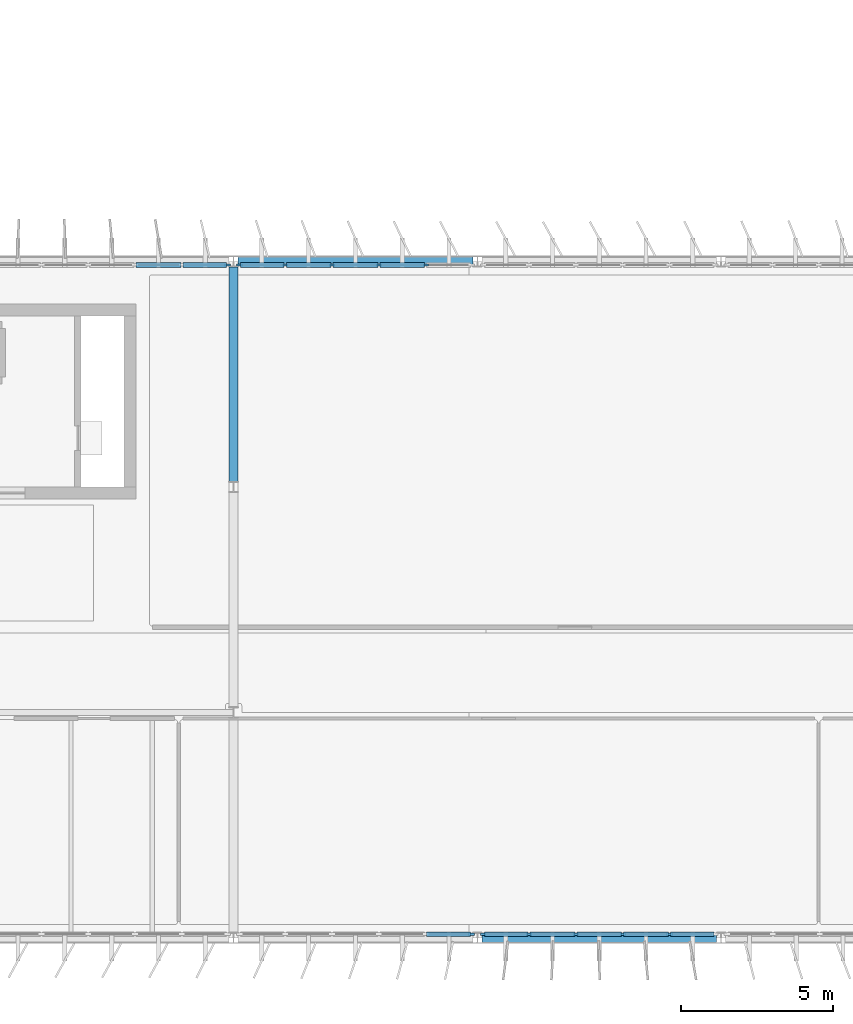
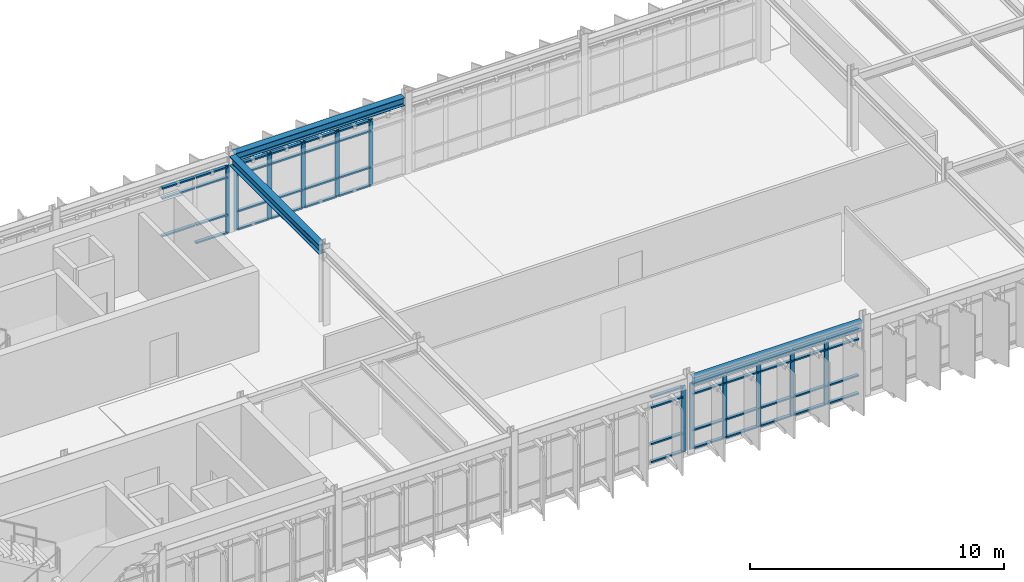
# One storey, part 14 of 45: 59 members, 3 beams, 4 elements without a shape of their own.
"""IFC4 building model written with IfcOpenShell, lengths in metres."""

from ifc_helpers import new_model, si_unit, direction, frame, origin, origin_2d, place, context, subcontext, project, spatial, rectangle, i_section, extrude, material, layer, layer_set, material_profile, profile_set, type_object, element, aggregate, save


model = new_model("IFC4")

# Units and contexts
model_context = context("Model", 3, precision=1e-05, world=origin(), true_north=direction((0.0, 1.0)))
body_context = subcontext(model_context, "Body", "Model", "MODEL_VIEW")
ifc_project = project(units=[si_unit("LENGTHUNIT", "METRE"), si_unit("AREAUNIT", "SQUARE_METRE"), si_unit("VOLUMEUNIT", "CUBIC_METRE"), si_unit("PLANEANGLEUNIT", "RADIAN"), si_unit("MASSUNIT", "GRAM", prefix="KILO")], contexts=[model_context])

# Site, building, storey
site_placement = place(None, origin())
site = spatial("IfcSite", under=ifc_project, at=site_placement, CompositionType="ELEMENT")
building_placement = place(site_placement, origin())
building = spatial("IfcBuilding", under=site, at=building_placement, Name="Valkorina Park Police Headquarters", CompositionType="ELEMENT")
storey_placement = place(building_placement, frame((0.0, 0.0, 23.300048828125)))
storey = spatial("IfcBuildingStorey", under=building, at=storey_placement, Name="L06", CompositionType="ELEMENT", Elevation=23.300048828125)

# Beams
ifc_material_1 = material(Name="Steel S355", Category="steel")
ifc_material_profile_1 = material_profile(ifc_material_1, i_section(OverallWidth=0.300048828125, OverallDepth=0.389892578125, WebThickness=0.010986328125, FlangeThickness=0.01904296875, FilletRadius=0.027099609375, at=origin_2d()), Name="HEA 400")
ifc_profile_set_1 = profile_set([ifc_material_profile_1], Name="Steel S355")
beam_type_1 = type_object("IfcBeamType", Name="BM-S355-HEA400-SPN", PredefinedType="SPANDREL", material=ifc_profile_set_1)
for number, where, z_axis, x_axis, name in (
    (1, (64.949951171875, 37.0, 3.375), (1.0, 0.0, 0.0), (0.0, 1.0, 0.0), "L06 Framing Beam 2610"),
    (2, (56.949951171875, 59.199951171875, 3.48486328125), (1.0, 0.0, 0.0), (0.0, 1.0, 0.0), "L06 Framing Beam 2636"),
):
    element("IfcBeam", number, at=place(storey_placement, frame(where, z_axis=z_axis, x_axis=x_axis)), inside=storey, type_object=beam_type_1, Name=name, PredefinedType="SPANDREL", context=body_context, shape_type="SweptSolid", body=[
        extrude(i_section(OverallWidth=0.300048828125, OverallDepth=0.389892578125, WebThickness=0.010986328125, FlangeThickness=0.01904296875, FilletRadius=0.027099609375, at=origin_2d()), origin(), (0.0, 0.0, 1.0), 7.699951171875),
    ])
ifc_material_profile_2 = material_profile(ifc_material_1, i_section(OverallWidth=0.300048828125, OverallDepth=0.449951171875, WebThickness=0.013916015625, FlangeThickness=0.02587890625, FilletRadius=0.027099609375, at=origin_2d()), Name="HEB 450")
ifc_profile_set_2 = profile_set([ifc_material_profile_2], Name="Steel S355")
beam_type_2 = type_object("IfcBeamType", Name="BM-S355-HEB450-BM", PredefinedType="BEAM", material=ifc_profile_set_2)
beam_placement = place(storey_placement, frame((56.800048828125, 51.97998046875, 3.454833984375), z_axis=(0.0, 1.0, 0.0), x_axis=(-1.0, 0.0, 0.0)))
element("IfcBeam", 3, at=beam_placement, inside=storey, type_object=beam_type_2, Name="L06 Framing Beam 2694", PredefinedType="BEAM", context=body_context, shape_type="SweptSolid", body=[
    extrude(i_section(OverallWidth=0.300048828125, OverallDepth=0.449951171875, WebThickness=0.013916015625, FlangeThickness=0.02587890625, FilletRadius=0.027099609375, at=origin_2d()), origin(), (0.0, 0.0, 1.0), 7.0400390625),
])

# Curtain wall, member
ifc_material_2 = material(Name="Thermally broken aluminium AW-6060", Category="aluminium")
ifc_layer_1 = layer(ifc_material_2, 0.18994140625)
ifc_layer_set_1 = layer_set([ifc_layer_1], Name="Thermally broken aluminium AW-6060")
curtain_wall_type_1 = type_object("IfcCurtainWallType", Name="CW-V5-7680x3220", PredefinedType="NOTDEFINED", material=ifc_layer_set_1)
curtain_wall_1_placement = place(storey_placement, origin())
curtain_wall_1 = element("IfcCurtainWall", 4, at=curtain_wall_1_placement, inside=storey, type_object=curtain_wall_type_1, Name="L06 Unitised Curtain Wall 106", PredefinedType="NOTDEFINED")
ifc_material_profile_3 = material_profile(ifc_material_2, rectangle(XDim=0.070068359375, YDim=0.18994140625, at=origin_2d()), Name="CWM-02 70x190")
ifc_profile_set_3 = profile_set([ifc_material_profile_3], Name="Thermally broken aluminium AW-6060")
member_type_1 = type_object("IfcMemberType", Name="CWM-70x190", PredefinedType="MULLION", material=ifc_profile_set_3)
member_1_placement = place(storey_placement, frame((56.60498046875, 59.080078125, 0.0), z_axis=(0.0, 0.0, 1.0), x_axis=(0.0, 1.0, 0.0)))
member_1 = element("IfcMember", 5, at=member_1_placement, type_object=member_type_1, Name="CW-V5-768-322 mullion 6", PredefinedType="MULLION", context=body_context, shape_type="SweptSolid", body=[
    extrude(rectangle(XDim=0.070068359375, YDim=0.18994140625, at=origin_2d()), origin(), (0.0, 0.0, 1.0), 3.219970703125),
])

# Curtain wall, members
ifc_layer_2 = layer(ifc_material_2, 0.18994140625)
ifc_layer_set_2 = layer_set([ifc_layer_2], Name="Thermally broken aluminium AW-6060")
curtain_wall_type_2 = type_object("IfcCurtainWallType", Name="CW-V5-7680x3170", PredefinedType="NOTDEFINED", material=ifc_layer_set_2)
curtain_wall_2_placement = place(storey_placement, origin())
curtain_wall_2 = element("IfcCurtainWall", 6, at=curtain_wall_2_placement, inside=storey, type_object=curtain_wall_type_2, Name="L06 Unitised Curtain Wall 107", PredefinedType="NOTDEFINED")
member_2_placement = place(storey_placement, frame((56.9951171875, 59.080078125, 0.0), z_axis=(0.0, 0.0, 1.0), x_axis=(0.0, 1.0, 0.0)))
member_2 = element("IfcMember", 7, at=member_2_placement, type_object=member_type_1, Name="CW-V5-768-317 mullion 1", PredefinedType="MULLION", context=body_context, shape_type="SweptSolid", body=[
    extrude(rectangle(XDim=0.070068359375, YDim=0.18994140625, at=origin_2d()), origin(), (0.0, 0.0, 1.0), 3.169921875),
])
member_3_placement = place(storey_placement, frame((58.49609375, 59.080078125, 0.0), z_axis=(0.0, 0.0, 1.0), x_axis=(0.0, 1.0, 0.0)))
member_3 = element("IfcMember", 8, at=member_3_placement, type_object=member_type_1, Name="CW-V5-768-317 mullion 2", PredefinedType="MULLION", context=body_context, shape_type="SweptSolid", body=[
    extrude(rectangle(XDim=0.070068359375, YDim=0.18994140625, at=origin_2d()), origin(), (0.0, 0.0, 1.0), 3.169921875),
])
member_4_placement = place(storey_placement, frame((60.031982421875, 59.080078125, 0.0), z_axis=(0.0, 0.0, 1.0), x_axis=(0.0, 1.0, 0.0)))
member_4 = element("IfcMember", 9, at=member_4_placement, type_object=member_type_1, Name="CW-V5-768-317 mullion 3", PredefinedType="MULLION", context=body_context, shape_type="SweptSolid", body=[
    extrude(rectangle(XDim=0.070068359375, YDim=0.18994140625, at=origin_2d()), origin(), (0.0, 0.0, 1.0), 3.169921875),
])
member_5_placement = place(storey_placement, frame((61.568115234375, 59.080078125, 0.0), z_axis=(0.0, 0.0, 1.0), x_axis=(0.0, 1.0, 0.0)))
member_5 = element("IfcMember", 10, at=member_5_placement, type_object=member_type_1, Name="CW-V5-768-317 mullion 4", PredefinedType="MULLION", context=body_context, shape_type="SweptSolid", body=[
    extrude(rectangle(XDim=0.070068359375, YDim=0.18994140625, at=origin_2d()), origin(), (0.0, 0.0, 1.0), 3.169921875),
])
member_6_placement = place(storey_placement, frame((63.10400390625, 59.080078125, 0.0), z_axis=(0.0, 0.0, 1.0), x_axis=(0.0, 1.0, 0.0)))
member_6 = element("IfcMember", 11, at=member_6_placement, type_object=member_type_1, Name="CW-V5-768-317 mullion 5", PredefinedType="MULLION", context=body_context, shape_type="SweptSolid", body=[
    extrude(rectangle(XDim=0.070068359375, YDim=0.18994140625, at=origin_2d()), origin(), (0.0, 0.0, 1.0), 3.169921875),
])

curtain_wall_3_placement = place(storey_placement, origin())
curtain_wall_3 = element("IfcCurtainWall", 12, at=curtain_wall_3_placement, inside=storey, type_object=curtain_wall_type_2, Name="L06 Unitised Curtain Wall 124", PredefinedType="NOTDEFINED")
member_7_placement = place(storey_placement, frame((71.10400390625, 37.1201171875, 0.0), z_axis=(0.0, 0.0, 1.0), x_axis=(0.0, -1.0, 0.0)))
member_7 = element("IfcMember", 13, at=member_7_placement, type_object=member_type_1, Name="CW-V5-768-317 mullion 2", PredefinedType="MULLION", context=body_context, shape_type="SweptSolid", body=[
    extrude(rectangle(XDim=0.070068359375, YDim=0.18994140625, at=origin_2d()), origin(), (0.0, 0.0, 1.0), 3.169921875),
])
member_8_placement = place(storey_placement, frame((69.568115234375, 37.1201171875, 0.0), z_axis=(0.0, 0.0, 1.0), x_axis=(0.0, -1.0, 0.0)))
member_8 = element("IfcMember", 14, at=member_8_placement, type_object=member_type_1, Name="CW-V5-768-317 mullion 3", PredefinedType="MULLION", context=body_context, shape_type="SweptSolid", body=[
    extrude(rectangle(XDim=0.070068359375, YDim=0.18994140625, at=origin_2d()), origin(), (0.0, 0.0, 1.0), 3.169921875),
])
member_9_placement = place(storey_placement, frame((68.031982421875, 37.1201171875, 0.0), z_axis=(0.0, 0.0, 1.0), x_axis=(0.0, -1.0, 0.0)))
member_9 = element("IfcMember", 15, at=member_9_placement, type_object=member_type_1, Name="CW-V5-768-317 mullion 4", PredefinedType="MULLION", context=body_context, shape_type="SweptSolid", body=[
    extrude(rectangle(XDim=0.070068359375, YDim=0.18994140625, at=origin_2d()), origin(), (0.0, 0.0, 1.0), 3.169921875),
])
member_10_placement = place(storey_placement, frame((66.49609375, 37.1201171875, 0.0), z_axis=(0.0, 0.0, 1.0), x_axis=(0.0, -1.0, 0.0)))
member_10 = element("IfcMember", 16, at=member_10_placement, type_object=member_type_1, Name="CW-V5-768-317 mullion 5", PredefinedType="MULLION", context=body_context, shape_type="SweptSolid", body=[
    extrude(rectangle(XDim=0.070068359375, YDim=0.18994140625, at=origin_2d()), origin(), (0.0, 0.0, 1.0), 3.169921875),
])
member_11_placement = place(storey_placement, frame((64.9951171875, 37.1201171875, 0.0), z_axis=(0.0, 0.0, 1.0), x_axis=(0.0, -1.0, 0.0)))
member_11 = element("IfcMember", 17, at=member_11_placement, type_object=member_type_1, Name="CW-V5-768-317 mullion 6", PredefinedType="MULLION", context=body_context, shape_type="SweptSolid", body=[
    extrude(rectangle(XDim=0.070068359375, YDim=0.18994140625, at=origin_2d()), origin(), (0.0, 0.0, 1.0), 3.169921875),
])

# Curtain wall, member
curtain_wall_4_placement = place(storey_placement, origin())
curtain_wall_4 = element("IfcCurtainWall", 18, at=curtain_wall_4_placement, inside=storey, type_object=curtain_wall_type_2, Name="L06 Unitised Curtain Wall 125", PredefinedType="NOTDEFINED")
member_12_placement = place(storey_placement, frame((64.60498046875, 37.1201171875, 0.0), z_axis=(0.0, 0.0, 1.0), x_axis=(0.0, -1.0, 0.0)))
member_12 = element("IfcMember", 19, at=member_12_placement, type_object=member_type_1, Name="CW-V5-768-317 mullion 1", PredefinedType="MULLION", context=body_context, shape_type="SweptSolid", body=[
    extrude(rectangle(XDim=0.070068359375, YDim=0.18994140625, at=origin_2d()), origin(), (0.0, 0.0, 1.0), 3.169921875),
])

# Member
ifc_material_profile_4 = material_profile(ifc_material_2, rectangle(XDim=0.14990234375, YDim=0.070068359375, at=origin_2d()), Name="CWT-02 150x70")
ifc_profile_set_4 = profile_set([ifc_material_profile_4], Name="Thermally broken aluminium AW-6060")
member_type_2 = type_object("IfcMemberType", Name="CWT-150x70", PredefinedType="USERDEFINED", material=ifc_profile_set_4)
member_13_placement = place(storey_placement, frame((53.60302734375, 59.080078125, 0.89990234375), z_axis=(1.0, 0.0, 0.0), x_axis=(0.0, 1.0, 0.0)))
member_13 = element("IfcMember", 20, at=member_13_placement, type_object=member_type_2, Name="CW-V5-768-322 transom 4.2", ObjectType="TRANSOM", PredefinedType="USERDEFINED", context=body_context, shape_type="SweptSolid", body=[
    extrude(rectangle(XDim=0.14990234375, YDim=0.070068359375, at=origin_2d()), origin(), (0.0, 0.0, 1.0), 1.466064453125),
])

member_14_placement = place(storey_placement, frame((53.60302734375, 59.080078125, 2.699951171875), z_axis=(1.0, 0.0, 0.0), x_axis=(0.0, 1.0, 0.0)))
member_14 = element("IfcMember", 21, at=member_14_placement, type_object=member_type_2, Name="CW-V5-768-322 transom 4.3", ObjectType="TRANSOM", PredefinedType="USERDEFINED", context=body_context, shape_type="SweptSolid", body=[
    extrude(rectangle(XDim=0.14990234375, YDim=0.070068359375, at=origin_2d()), origin(), (0.0, 0.0, 1.0), 1.466064453125),
])

member_15_placement = place(storey_placement, frame((53.60302734375, 59.080078125, 3.18505859375), z_axis=(1.0, 0.0, 0.0), x_axis=(0.0, 1.0, 0.0)))
member_15 = element("IfcMember", 22, at=member_15_placement, type_object=member_type_2, Name="CW-V5-768-322 transom 4.4", ObjectType="TRANSOM", PredefinedType="USERDEFINED", context=body_context, shape_type="SweptSolid", body=[
    extrude(rectangle(XDim=0.14990234375, YDim=0.070068359375, at=origin_2d()), origin(), (0.0, 0.0, 1.0), 1.466064453125),
])

member_16_placement = place(storey_placement, frame((55.138916015625, 59.080078125, 0.034912109375), z_axis=(1.0, 0.0, 0.0), x_axis=(0.0, 1.0, 0.0)))
member_16 = element("IfcMember", 23, at=member_16_placement, type_object=member_type_2, Name="CW-V5-768-322 transom 5.1", ObjectType="TRANSOM", PredefinedType="USERDEFINED", context=body_context, shape_type="SweptSolid", body=[
    extrude(rectangle(XDim=0.14990234375, YDim=0.070068359375, at=origin_2d()), origin(), (0.0, 0.0, 1.0), 1.43115234375),
])

member_17_placement = place(storey_placement, frame((55.138916015625, 59.080078125, 0.89990234375), z_axis=(1.0, 0.0, 0.0), x_axis=(0.0, 1.0, 0.0)))
member_17 = element("IfcMember", 24, at=member_17_placement, type_object=member_type_2, Name="CW-V5-768-322 transom 5.2", ObjectType="TRANSOM", PredefinedType="USERDEFINED", context=body_context, shape_type="SweptSolid", body=[
    extrude(rectangle(XDim=0.14990234375, YDim=0.070068359375, at=origin_2d()), origin(), (0.0, 0.0, 1.0), 1.43115234375),
])

member_18_placement = place(storey_placement, frame((55.138916015625, 59.080078125, 2.699951171875), z_axis=(1.0, 0.0, 0.0), x_axis=(0.0, 1.0, 0.0)))
member_18 = element("IfcMember", 25, at=member_18_placement, type_object=member_type_2, Name="CW-V5-768-322 transom 5.3", ObjectType="TRANSOM", PredefinedType="USERDEFINED", context=body_context, shape_type="SweptSolid", body=[
    extrude(rectangle(XDim=0.14990234375, YDim=0.070068359375, at=origin_2d()), origin(), (0.0, 0.0, 1.0), 1.43115234375),
])

member_19_placement = place(storey_placement, frame((55.138916015625, 59.080078125, 3.18505859375), z_axis=(1.0, 0.0, 0.0), x_axis=(0.0, 1.0, 0.0)))
member_19 = element("IfcMember", 26, at=member_19_placement, type_object=member_type_2, Name="CW-V5-768-322 transom 5.4", ObjectType="TRANSOM", PredefinedType="USERDEFINED", context=body_context, shape_type="SweptSolid", body=[
    extrude(rectangle(XDim=0.14990234375, YDim=0.070068359375, at=origin_2d()), origin(), (0.0, 0.0, 1.0), 1.43115234375),
])

aggregate(curtain_wall_1, [member_1, member_13, member_14, member_15, member_16, member_17, member_18, member_19])

member_20_placement = place(storey_placement, frame((57.030029296875, 59.080078125, 0.034912109375), z_axis=(1.0, 0.0, 0.0), x_axis=(0.0, 1.0, 0.0)))
member_20 = element("IfcMember", 27, at=member_20_placement, type_object=member_type_2, Name="CW-V5-768-317 transom 1.1", ObjectType="TRANSOM", PredefinedType="USERDEFINED", context=body_context, shape_type="SweptSolid", body=[
    extrude(rectangle(XDim=0.14990234375, YDim=0.070068359375, at=origin_2d()), origin(), (0.0, 0.0, 1.0), 1.430908203125),
])

member_21_placement = place(storey_placement, frame((57.030029296875, 59.080078125, 0.89990234375), z_axis=(1.0, 0.0, 0.0), x_axis=(0.0, 1.0, 0.0)))
member_21 = element("IfcMember", 28, at=member_21_placement, type_object=member_type_2, Name="CW-V5-768-317 transom 1.2", ObjectType="TRANSOM", PredefinedType="USERDEFINED", context=body_context, shape_type="SweptSolid", body=[
    extrude(rectangle(XDim=0.14990234375, YDim=0.070068359375, at=origin_2d()), origin(), (0.0, 0.0, 1.0), 1.430908203125),
])

member_22_placement = place(storey_placement, frame((57.030029296875, 59.080078125, 2.64990234375), z_axis=(1.0, 0.0, 0.0), x_axis=(0.0, 1.0, 0.0)))
member_22 = element("IfcMember", 29, at=member_22_placement, type_object=member_type_2, Name="CW-V5-768-317 transom 1.3", ObjectType="TRANSOM", PredefinedType="USERDEFINED", context=body_context, shape_type="SweptSolid", body=[
    extrude(rectangle(XDim=0.14990234375, YDim=0.070068359375, at=origin_2d()), origin(), (0.0, 0.0, 1.0), 1.430908203125),
])

member_23_placement = place(storey_placement, frame((57.030029296875, 59.080078125, 3.135009765625), z_axis=(1.0, 0.0, 0.0), x_axis=(0.0, 1.0, 0.0)))
member_23 = element("IfcMember", 30, at=member_23_placement, type_object=member_type_2, Name="CW-V5-768-317 transom 1.4", ObjectType="TRANSOM", PredefinedType="USERDEFINED", context=body_context, shape_type="SweptSolid", body=[
    extrude(rectangle(XDim=0.14990234375, YDim=0.070068359375, at=origin_2d()), origin(), (0.0, 0.0, 1.0), 1.430908203125),
])

member_24_placement = place(storey_placement, frame((58.531005859375, 59.080078125, 0.034912109375), z_axis=(1.0, 0.0, 0.0), x_axis=(0.0, 1.0, 0.0)))
member_24 = element("IfcMember", 31, at=member_24_placement, type_object=member_type_2, Name="CW-V5-768-317 transom 2.1", ObjectType="TRANSOM", PredefinedType="USERDEFINED", context=body_context, shape_type="SweptSolid", body=[
    extrude(rectangle(XDim=0.14990234375, YDim=0.070068359375, at=origin_2d()), origin(), (0.0, 0.0, 1.0), 1.466064453125),
])

member_25_placement = place(storey_placement, frame((58.531005859375, 59.080078125, 0.89990234375), z_axis=(1.0, 0.0, 0.0), x_axis=(0.0, 1.0, 0.0)))
member_25 = element("IfcMember", 32, at=member_25_placement, type_object=member_type_2, Name="CW-V5-768-317 transom 2.2", ObjectType="TRANSOM", PredefinedType="USERDEFINED", context=body_context, shape_type="SweptSolid", body=[
    extrude(rectangle(XDim=0.14990234375, YDim=0.070068359375, at=origin_2d()), origin(), (0.0, 0.0, 1.0), 1.466064453125),
])

member_26_placement = place(storey_placement, frame((58.531005859375, 59.080078125, 2.64990234375), z_axis=(1.0, 0.0, 0.0), x_axis=(0.0, 1.0, 0.0)))
member_26 = element("IfcMember", 33, at=member_26_placement, type_object=member_type_2, Name="CW-V5-768-317 transom 2.3", ObjectType="TRANSOM", PredefinedType="USERDEFINED", context=body_context, shape_type="SweptSolid", body=[
    extrude(rectangle(XDim=0.14990234375, YDim=0.070068359375, at=origin_2d()), origin(), (0.0, 0.0, 1.0), 1.466064453125),
])

member_27_placement = place(storey_placement, frame((58.531005859375, 59.080078125, 3.135009765625), z_axis=(1.0, 0.0, 0.0), x_axis=(0.0, 1.0, 0.0)))
member_27 = element("IfcMember", 34, at=member_27_placement, type_object=member_type_2, Name="CW-V5-768-317 transom 2.4", ObjectType="TRANSOM", PredefinedType="USERDEFINED", context=body_context, shape_type="SweptSolid", body=[
    extrude(rectangle(XDim=0.14990234375, YDim=0.070068359375, at=origin_2d()), origin(), (0.0, 0.0, 1.0), 1.466064453125),
])

member_28_placement = place(storey_placement, frame((60.06689453125, 59.080078125, 0.034912109375), z_axis=(1.0, 0.0, 0.0), x_axis=(0.0, 1.0, 0.0)))
member_28 = element("IfcMember", 35, at=member_28_placement, type_object=member_type_2, Name="CW-V5-768-317 transom 3.1", ObjectType="TRANSOM", PredefinedType="USERDEFINED", context=body_context, shape_type="SweptSolid", body=[
    extrude(rectangle(XDim=0.14990234375, YDim=0.070068359375, at=origin_2d()), origin(), (0.0, 0.0, 1.0), 1.466064453125),
])

member_29_placement = place(storey_placement, frame((60.06689453125, 59.080078125, 0.89990234375), z_axis=(1.0, 0.0, 0.0), x_axis=(0.0, 1.0, 0.0)))
member_29 = element("IfcMember", 36, at=member_29_placement, type_object=member_type_2, Name="CW-V5-768-317 transom 3.2", ObjectType="TRANSOM", PredefinedType="USERDEFINED", context=body_context, shape_type="SweptSolid", body=[
    extrude(rectangle(XDim=0.14990234375, YDim=0.070068359375, at=origin_2d()), origin(), (0.0, 0.0, 1.0), 1.466064453125),
])

member_30_placement = place(storey_placement, frame((60.06689453125, 59.080078125, 2.64990234375), z_axis=(1.0, 0.0, 0.0), x_axis=(0.0, 1.0, 0.0)))
member_30 = element("IfcMember", 37, at=member_30_placement, type_object=member_type_2, Name="CW-V5-768-317 transom 3.3", ObjectType="TRANSOM", PredefinedType="USERDEFINED", context=body_context, shape_type="SweptSolid", body=[
    extrude(rectangle(XDim=0.14990234375, YDim=0.070068359375, at=origin_2d()), origin(), (0.0, 0.0, 1.0), 1.466064453125),
])

member_31_placement = place(storey_placement, frame((60.06689453125, 59.080078125, 3.135009765625), z_axis=(1.0, 0.0, 0.0), x_axis=(0.0, 1.0, 0.0)))
member_31 = element("IfcMember", 38, at=member_31_placement, type_object=member_type_2, Name="CW-V5-768-317 transom 3.4", ObjectType="TRANSOM", PredefinedType="USERDEFINED", context=body_context, shape_type="SweptSolid", body=[
    extrude(rectangle(XDim=0.14990234375, YDim=0.070068359375, at=origin_2d()), origin(), (0.0, 0.0, 1.0), 1.466064453125),
])

member_32_placement = place(storey_placement, frame((61.60302734375, 59.080078125, 0.034912109375), z_axis=(1.0, 0.0, 0.0), x_axis=(0.0, 1.0, 0.0)))
member_32 = element("IfcMember", 39, at=member_32_placement, type_object=member_type_2, Name="CW-V5-768-317 transom 4.1", ObjectType="TRANSOM", PredefinedType="USERDEFINED", context=body_context, shape_type="SweptSolid", body=[
    extrude(rectangle(XDim=0.14990234375, YDim=0.070068359375, at=origin_2d()), origin(), (0.0, 0.0, 1.0), 1.466064453125),
])

member_33_placement = place(storey_placement, frame((61.60302734375, 59.080078125, 0.89990234375), z_axis=(1.0, 0.0, 0.0), x_axis=(0.0, 1.0, 0.0)))
member_33 = element("IfcMember", 40, at=member_33_placement, type_object=member_type_2, Name="CW-V5-768-317 transom 4.2", ObjectType="TRANSOM", PredefinedType="USERDEFINED", context=body_context, shape_type="SweptSolid", body=[
    extrude(rectangle(XDim=0.14990234375, YDim=0.070068359375, at=origin_2d()), origin(), (0.0, 0.0, 1.0), 1.466064453125),
])

member_34_placement = place(storey_placement, frame((61.60302734375, 59.080078125, 2.64990234375), z_axis=(1.0, 0.0, 0.0), x_axis=(0.0, 1.0, 0.0)))
member_34 = element("IfcMember", 41, at=member_34_placement, type_object=member_type_2, Name="CW-V5-768-317 transom 4.3", ObjectType="TRANSOM", PredefinedType="USERDEFINED", context=body_context, shape_type="SweptSolid", body=[
    extrude(rectangle(XDim=0.14990234375, YDim=0.070068359375, at=origin_2d()), origin(), (0.0, 0.0, 1.0), 1.466064453125),
])

member_35_placement = place(storey_placement, frame((61.60302734375, 59.080078125, 3.135009765625), z_axis=(1.0, 0.0, 0.0), x_axis=(0.0, 1.0, 0.0)))
member_35 = element("IfcMember", 42, at=member_35_placement, type_object=member_type_2, Name="CW-V5-768-317 transom 4.4", ObjectType="TRANSOM", PredefinedType="USERDEFINED", context=body_context, shape_type="SweptSolid", body=[
    extrude(rectangle(XDim=0.14990234375, YDim=0.070068359375, at=origin_2d()), origin(), (0.0, 0.0, 1.0), 1.466064453125),
])

aggregate(curtain_wall_2, [member_2, member_3, member_4, member_5, member_6, member_20, member_21, member_22, member_23, member_24, member_25, member_26, member_27, member_28, member_29, member_30, member_31, member_32, member_33, member_34, member_35])

member_36_placement = place(storey_placement, frame((72.570068359375, 37.1201171875, 0.034912109375), z_axis=(-1.0, 0.0, 0.0), x_axis=(0.0, -1.0, 0.0)))
member_36 = element("IfcMember", 43, at=member_36_placement, type_object=member_type_2, Name="CW-V5-768-317 transom 1.1", ObjectType="TRANSOM", PredefinedType="USERDEFINED", context=body_context, shape_type="SweptSolid", body=[
    extrude(rectangle(XDim=0.14990234375, YDim=0.070068359375, at=origin_2d()), origin(), (0.0, 0.0, 1.0), 1.43115234375),
])

member_37_placement = place(storey_placement, frame((72.570068359375, 37.1201171875, 0.89990234375), z_axis=(-1.0, 0.0, 0.0), x_axis=(0.0, -1.0, 0.0)))
member_37 = element("IfcMember", 44, at=member_37_placement, type_object=member_type_2, Name="CW-V5-768-317 transom 1.2", ObjectType="TRANSOM", PredefinedType="USERDEFINED", context=body_context, shape_type="SweptSolid", body=[
    extrude(rectangle(XDim=0.14990234375, YDim=0.070068359375, at=origin_2d()), origin(), (0.0, 0.0, 1.0), 1.43115234375),
])

member_38_placement = place(storey_placement, frame((72.570068359375, 37.1201171875, 2.64990234375), z_axis=(-1.0, 0.0, 0.0), x_axis=(0.0, -1.0, 0.0)))
member_38 = element("IfcMember", 45, at=member_38_placement, type_object=member_type_2, Name="CW-V5-768-317 transom 1.3", ObjectType="TRANSOM", PredefinedType="USERDEFINED", context=body_context, shape_type="SweptSolid", body=[
    extrude(rectangle(XDim=0.14990234375, YDim=0.070068359375, at=origin_2d()), origin(), (0.0, 0.0, 1.0), 1.43115234375),
])

member_39_placement = place(storey_placement, frame((72.570068359375, 37.1201171875, 3.135009765625), z_axis=(-1.0, 0.0, 0.0), x_axis=(0.0, -1.0, 0.0)))
member_39 = element("IfcMember", 46, at=member_39_placement, type_object=member_type_2, Name="CW-V5-768-317 transom 1.4", ObjectType="TRANSOM", PredefinedType="USERDEFINED", context=body_context, shape_type="SweptSolid", body=[
    extrude(rectangle(XDim=0.14990234375, YDim=0.070068359375, at=origin_2d()), origin(), (0.0, 0.0, 1.0), 1.43115234375),
])

member_40_placement = place(storey_placement, frame((71.069091796875, 37.1201171875, 0.034912109375), z_axis=(-1.0, 0.0, 0.0), x_axis=(0.0, -1.0, 0.0)))
member_40 = element("IfcMember", 47, at=member_40_placement, type_object=member_type_2, Name="CW-V5-768-317 transom 2.1", ObjectType="TRANSOM", PredefinedType="USERDEFINED", context=body_context, shape_type="SweptSolid", body=[
    extrude(rectangle(XDim=0.14990234375, YDim=0.070068359375, at=origin_2d()), origin(), (0.0, 0.0, 1.0), 1.466064453125),
])

member_41_placement = place(storey_placement, frame((71.069091796875, 37.1201171875, 0.89990234375), z_axis=(-1.0, 0.0, 0.0), x_axis=(0.0, -1.0, 0.0)))
member_41 = element("IfcMember", 48, at=member_41_placement, type_object=member_type_2, Name="CW-V5-768-317 transom 2.2", ObjectType="TRANSOM", PredefinedType="USERDEFINED", context=body_context, shape_type="SweptSolid", body=[
    extrude(rectangle(XDim=0.14990234375, YDim=0.070068359375, at=origin_2d()), origin(), (0.0, 0.0, 1.0), 1.466064453125),
])

member_42_placement = place(storey_placement, frame((71.069091796875, 37.1201171875, 2.64990234375), z_axis=(-1.0, 0.0, 0.0), x_axis=(0.0, -1.0, 0.0)))
member_42 = element("IfcMember", 49, at=member_42_placement, type_object=member_type_2, Name="CW-V5-768-317 transom 2.3", ObjectType="TRANSOM", PredefinedType="USERDEFINED", context=body_context, shape_type="SweptSolid", body=[
    extrude(rectangle(XDim=0.14990234375, YDim=0.070068359375, at=origin_2d()), origin(), (0.0, 0.0, 1.0), 1.466064453125),
])

member_43_placement = place(storey_placement, frame((71.069091796875, 37.1201171875, 3.135009765625), z_axis=(-1.0, 0.0, 0.0), x_axis=(0.0, -1.0, 0.0)))
member_43 = element("IfcMember", 50, at=member_43_placement, type_object=member_type_2, Name="CW-V5-768-317 transom 2.4", ObjectType="TRANSOM", PredefinedType="USERDEFINED", context=body_context, shape_type="SweptSolid", body=[
    extrude(rectangle(XDim=0.14990234375, YDim=0.070068359375, at=origin_2d()), origin(), (0.0, 0.0, 1.0), 1.466064453125),
])

member_44_placement = place(storey_placement, frame((69.532958984375, 37.1201171875, 0.034912109375), z_axis=(-1.0, 0.0, 0.0), x_axis=(0.0, -1.0, 0.0)))
member_44 = element("IfcMember", 51, at=member_44_placement, type_object=member_type_2, Name="CW-V5-768-317 transom 3.1", ObjectType="TRANSOM", PredefinedType="USERDEFINED", context=body_context, shape_type="SweptSolid", body=[
    extrude(rectangle(XDim=0.14990234375, YDim=0.070068359375, at=origin_2d()), origin(), (0.0, 0.0, 1.0), 1.466064453125),
])

member_45_placement = place(storey_placement, frame((69.532958984375, 37.1201171875, 0.89990234375), z_axis=(-1.0, 0.0, 0.0), x_axis=(0.0, -1.0, 0.0)))
member_45 = element("IfcMember", 52, at=member_45_placement, type_object=member_type_2, Name="CW-V5-768-317 transom 3.2", ObjectType="TRANSOM", PredefinedType="USERDEFINED", context=body_context, shape_type="SweptSolid", body=[
    extrude(rectangle(XDim=0.14990234375, YDim=0.070068359375, at=origin_2d()), origin(), (0.0, 0.0, 1.0), 1.466064453125),
])

member_46_placement = place(storey_placement, frame((69.532958984375, 37.1201171875, 2.64990234375), z_axis=(-1.0, 0.0, 0.0), x_axis=(0.0, -1.0, 0.0)))
member_46 = element("IfcMember", 53, at=member_46_placement, type_object=member_type_2, Name="CW-V5-768-317 transom 3.3", ObjectType="TRANSOM", PredefinedType="USERDEFINED", context=body_context, shape_type="SweptSolid", body=[
    extrude(rectangle(XDim=0.14990234375, YDim=0.070068359375, at=origin_2d()), origin(), (0.0, 0.0, 1.0), 1.466064453125),
])

member_47_placement = place(storey_placement, frame((69.532958984375, 37.1201171875, 3.135009765625), z_axis=(-1.0, 0.0, 0.0), x_axis=(0.0, -1.0, 0.0)))
member_47 = element("IfcMember", 54, at=member_47_placement, type_object=member_type_2, Name="CW-V5-768-317 transom 3.4", ObjectType="TRANSOM", PredefinedType="USERDEFINED", context=body_context, shape_type="SweptSolid", body=[
    extrude(rectangle(XDim=0.14990234375, YDim=0.070068359375, at=origin_2d()), origin(), (0.0, 0.0, 1.0), 1.466064453125),
])

member_48_placement = place(storey_placement, frame((67.9970703125, 37.1201171875, 0.034912109375), z_axis=(-1.0, 0.0, 0.0), x_axis=(0.0, -1.0, 0.0)))
member_48 = element("IfcMember", 55, at=member_48_placement, type_object=member_type_2, Name="CW-V5-768-317 transom 4.1", ObjectType="TRANSOM", PredefinedType="USERDEFINED", context=body_context, shape_type="SweptSolid", body=[
    extrude(rectangle(XDim=0.14990234375, YDim=0.070068359375, at=origin_2d()), origin(), (0.0, 0.0, 1.0), 1.466064453125),
])

member_49_placement = place(storey_placement, frame((67.9970703125, 37.1201171875, 0.89990234375), z_axis=(-1.0, 0.0, 0.0), x_axis=(0.0, -1.0, 0.0)))
member_49 = element("IfcMember", 56, at=member_49_placement, type_object=member_type_2, Name="CW-V5-768-317 transom 4.2", ObjectType="TRANSOM", PredefinedType="USERDEFINED", context=body_context, shape_type="SweptSolid", body=[
    extrude(rectangle(XDim=0.14990234375, YDim=0.070068359375, at=origin_2d()), origin(), (0.0, 0.0, 1.0), 1.466064453125),
])

member_50_placement = place(storey_placement, frame((67.9970703125, 37.1201171875, 2.64990234375), z_axis=(-1.0, 0.0, 0.0), x_axis=(0.0, -1.0, 0.0)))
member_50 = element("IfcMember", 57, at=member_50_placement, type_object=member_type_2, Name="CW-V5-768-317 transom 4.3", ObjectType="TRANSOM", PredefinedType="USERDEFINED", context=body_context, shape_type="SweptSolid", body=[
    extrude(rectangle(XDim=0.14990234375, YDim=0.070068359375, at=origin_2d()), origin(), (0.0, 0.0, 1.0), 1.466064453125),
])

member_51_placement = place(storey_placement, frame((67.9970703125, 37.1201171875, 3.135009765625), z_axis=(-1.0, 0.0, 0.0), x_axis=(0.0, -1.0, 0.0)))
member_51 = element("IfcMember", 58, at=member_51_placement, type_object=member_type_2, Name="CW-V5-768-317 transom 4.4", ObjectType="TRANSOM", PredefinedType="USERDEFINED", context=body_context, shape_type="SweptSolid", body=[
    extrude(rectangle(XDim=0.14990234375, YDim=0.070068359375, at=origin_2d()), origin(), (0.0, 0.0, 1.0), 1.466064453125),
])

member_52_placement = place(storey_placement, frame((66.4609375, 37.1201171875, 0.034912109375), z_axis=(-1.0, 0.0, 0.0), x_axis=(0.0, -1.0, 0.0)))
member_52 = element("IfcMember", 59, at=member_52_placement, type_object=member_type_2, Name="CW-V5-768-317 transom 5.1", ObjectType="TRANSOM", PredefinedType="USERDEFINED", context=body_context, shape_type="SweptSolid", body=[
    extrude(rectangle(XDim=0.14990234375, YDim=0.070068359375, at=origin_2d()), origin(), (0.0, 0.0, 1.0), 1.430908203125),
])

member_53_placement = place(storey_placement, frame((66.4609375, 37.1201171875, 0.89990234375), z_axis=(-1.0, 0.0, 0.0), x_axis=(0.0, -1.0, 0.0)))
member_53 = element("IfcMember", 60, at=member_53_placement, type_object=member_type_2, Name="CW-V5-768-317 transom 5.2", ObjectType="TRANSOM", PredefinedType="USERDEFINED", context=body_context, shape_type="SweptSolid", body=[
    extrude(rectangle(XDim=0.14990234375, YDim=0.070068359375, at=origin_2d()), origin(), (0.0, 0.0, 1.0), 1.430908203125),
])

member_54_placement = place(storey_placement, frame((66.4609375, 37.1201171875, 2.64990234375), z_axis=(-1.0, 0.0, 0.0), x_axis=(0.0, -1.0, 0.0)))
member_54 = element("IfcMember", 61, at=member_54_placement, type_object=member_type_2, Name="CW-V5-768-317 transom 5.3", ObjectType="TRANSOM", PredefinedType="USERDEFINED", context=body_context, shape_type="SweptSolid", body=[
    extrude(rectangle(XDim=0.14990234375, YDim=0.070068359375, at=origin_2d()), origin(), (0.0, 0.0, 1.0), 1.430908203125),
])

member_55_placement = place(storey_placement, frame((66.4609375, 37.1201171875, 3.135009765625), z_axis=(-1.0, 0.0, 0.0), x_axis=(0.0, -1.0, 0.0)))
member_55 = element("IfcMember", 62, at=member_55_placement, type_object=member_type_2, Name="CW-V5-768-317 transom 5.4", ObjectType="TRANSOM", PredefinedType="USERDEFINED", context=body_context, shape_type="SweptSolid", body=[
    extrude(rectangle(XDim=0.14990234375, YDim=0.070068359375, at=origin_2d()), origin(), (0.0, 0.0, 1.0), 1.430908203125),
])

aggregate(curtain_wall_3, [member_7, member_8, member_9, member_10, member_11, member_36, member_37, member_38, member_39, member_40, member_41, member_42, member_43, member_44, member_45, member_46, member_47, member_48, member_49, member_50, member_51, member_52, member_53, member_54, member_55])

member_56_placement = place(storey_placement, frame((64.570068359375, 37.1201171875, 0.034912109375), z_axis=(-1.0, 0.0, 0.0), x_axis=(0.0, -1.0, 0.0)))
member_56 = element("IfcMember", 63, at=member_56_placement, type_object=member_type_2, Name="CW-V5-768-317 transom 1.1", ObjectType="TRANSOM", PredefinedType="USERDEFINED", context=body_context, shape_type="SweptSolid", body=[
    extrude(rectangle(XDim=0.14990234375, YDim=0.070068359375, at=origin_2d()), origin(), (0.0, 0.0, 1.0), 1.43115234375),
])

member_57_placement = place(storey_placement, frame((64.570068359375, 37.1201171875, 0.89990234375), z_axis=(-1.0, 0.0, 0.0), x_axis=(0.0, -1.0, 0.0)))
member_57 = element("IfcMember", 64, at=member_57_placement, type_object=member_type_2, Name="CW-V5-768-317 transom 1.2", ObjectType="TRANSOM", PredefinedType="USERDEFINED", context=body_context, shape_type="SweptSolid", body=[
    extrude(rectangle(XDim=0.14990234375, YDim=0.070068359375, at=origin_2d()), origin(), (0.0, 0.0, 1.0), 1.43115234375),
])

member_58_placement = place(storey_placement, frame((64.570068359375, 37.1201171875, 2.64990234375), z_axis=(-1.0, 0.0, 0.0), x_axis=(0.0, -1.0, 0.0)))
member_58 = element("IfcMember", 65, at=member_58_placement, type_object=member_type_2, Name="CW-V5-768-317 transom 1.3", ObjectType="TRANSOM", PredefinedType="USERDEFINED", context=body_context, shape_type="SweptSolid", body=[
    extrude(rectangle(XDim=0.14990234375, YDim=0.070068359375, at=origin_2d()), origin(), (0.0, 0.0, 1.0), 1.43115234375),
])

member_59_placement = place(storey_placement, frame((64.570068359375, 37.1201171875, 3.135009765625), z_axis=(-1.0, 0.0, 0.0), x_axis=(0.0, -1.0, 0.0)))
member_59 = element("IfcMember", 66, at=member_59_placement, type_object=member_type_2, Name="CW-V5-768-317 transom 1.4", ObjectType="TRANSOM", PredefinedType="USERDEFINED", context=body_context, shape_type="SweptSolid", body=[
    extrude(rectangle(XDim=0.14990234375, YDim=0.070068359375, at=origin_2d()), origin(), (0.0, 0.0, 1.0), 1.43115234375),
])

aggregate(curtain_wall_4, [member_12, member_56, member_57, member_58, member_59])

save(model, "model.ifc")
